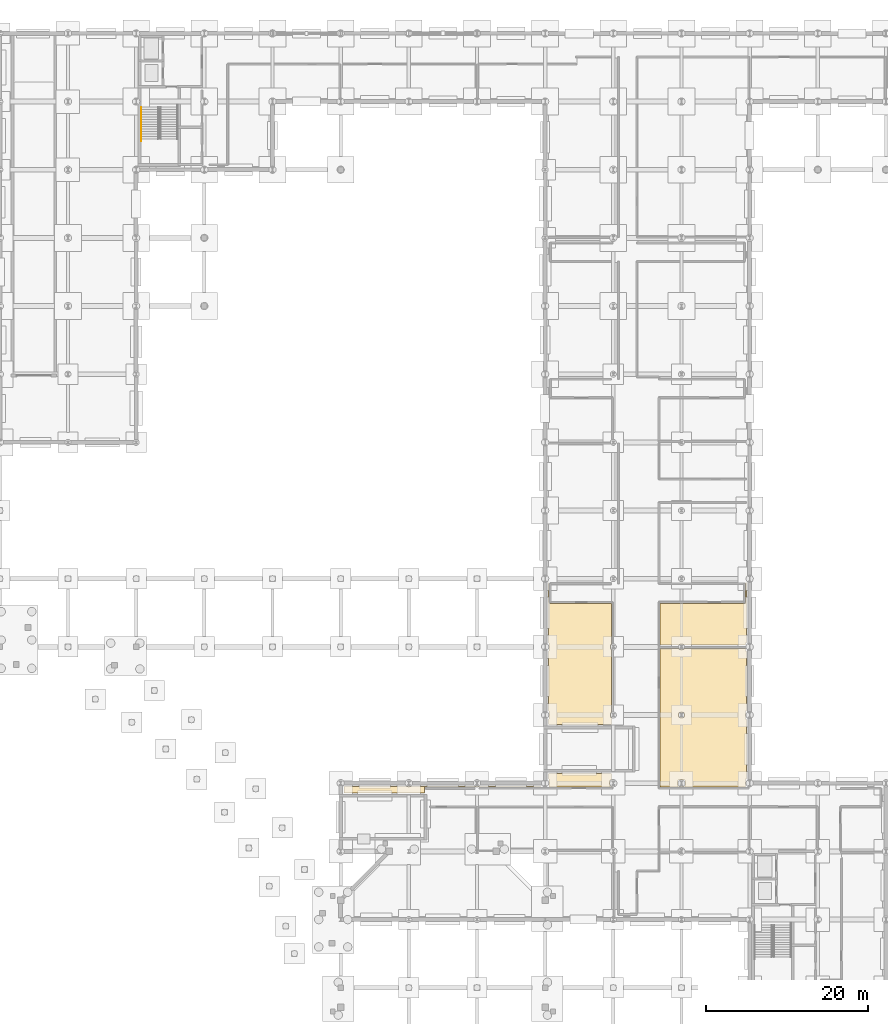
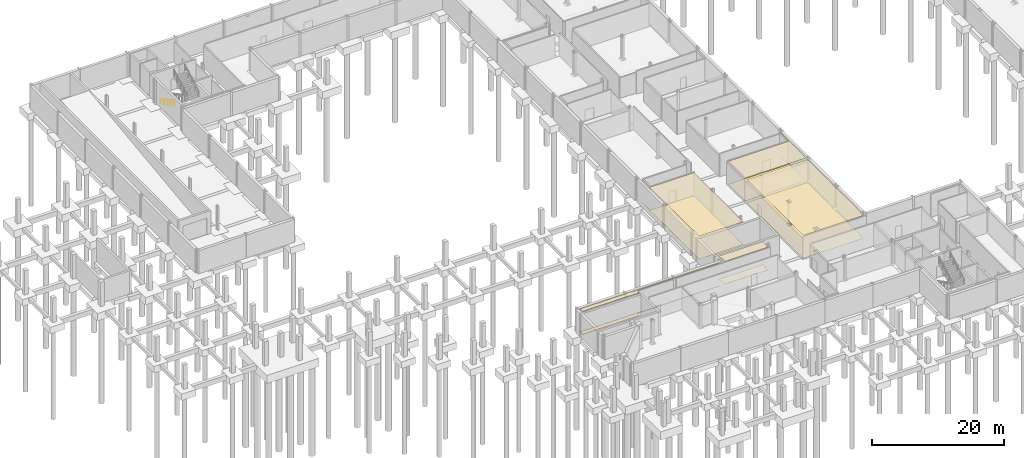
# One storey, part 37 of 43: 10 coverings, 1 railing.
"""IFC4 building model written with IfcOpenShell, lengths in metres."""

from ifc_helpers import new_model, si_unit, direction, frame, origin, origin_2d, place, context, subcontext, project, spatial, polyline, circle, outline, extrude, material, layer, layer_set, type_object, element, save


model = new_model("IFC4")

# Units and contexts
model_context = context("Model", 3, precision=1e-05, world=origin(), true_north=direction((0.0, 1.0)))
body_context = subcontext(model_context, "Body", "Model", "MODEL_VIEW")
ifc_project = project(units=[si_unit("LENGTHUNIT", "METRE"), si_unit("AREAUNIT", "SQUARE_METRE"), si_unit("VOLUMEUNIT", "CUBIC_METRE"), si_unit("PLANEANGLEUNIT", "RADIAN"), si_unit("MASSUNIT", "GRAM", prefix="KILO")], contexts=[model_context])

# Site, building, storey
site_placement = place(None, origin())
site = spatial("IfcSite", under=ifc_project, at=site_placement, CompositionType="ELEMENT")
building_placement = place(site_placement, origin())
building = spatial("IfcBuilding", under=site, at=building_placement, Name="Mersafa Astral City Hall", CompositionType="ELEMENT")
storey_placement = place(building_placement, frame((0.0, 0.0, -4.5)))
storey = spatial("IfcBuildingStorey", under=building, at=storey_placement, Name="B1", CompositionType="ELEMENT", Elevation=-4.5)

# Railing
ifc_material_1 = material(Name="Brushed stainless steel tubular handrail", Category="steel")
railing_type = type_object("IfcRailingType", Name="HANDRAIL", PredefinedType="HANDRAIL", material=ifc_material_1)
railing_placement = place(storey_placement, frame((42.6298828125, 116.89990234375, 0.16064453125)))
element("IfcRailing", 1, at=railing_placement, inside=storey, type_object=railing_type, Name="B1 ST3 stair handrail 1", PredefinedType="HANDRAIL", context=body_context, shape_type="SweptSolid", body=[
    extrude(circle(Radius=0.02392578125, at=origin_2d()), frame((0.0, 0.0, 0.8759765625), z_axis=(0.0, -0.881200344737, 0.472743008869), x_axis=(1.0, 0.0, 0.0)), (0.0, 0.0, 1.0), 4.76611328125),
    extrude(circle(Radius=0.02099609375, at=origin_2d()), origin(), (0.0, 0.0, 1.0), 0.851806640625),
    extrude(circle(Radius=0.02099609375, at=origin_2d()), frame((0.0, -1.050048828125, 0.563232421875)), (0.0, 0.0, 1.0), 0.851806640625),
    extrude(circle(Radius=0.02099609375, at=origin_2d()), frame((0.0, -2.10009765625, 1.12646484375)), (0.0, 0.0, 1.0), 0.851806640625),
    extrude(circle(Radius=0.02099609375, at=origin_2d()), frame((0.0, -3.14990234375, 1.68994140625)), (0.0, 0.0, 1.0), 0.851806640625),
    extrude(circle(Radius=0.02099609375, at=origin_2d()), frame((0.0, -4.199951171875, 2.253173828125)), (0.0, 0.0, 1.0), 0.851806640625),
])

# Coverings
ifc_material_2 = material(Name="Perforated acoustic gypsum board ceiling", Category="gypsum")
ifc_layer_1 = layer(ifc_material_2, 0.02490234375, Name="Perforated acoustic gypsum board ceiling")
ifc_layer_set_1 = layer_set([ifc_layer_1], Name="Perforated acoustic gypsum board ceiling — INT-COV-CEIL-25")
covering_type_1 = type_object("IfcCoveringType", Name="INT-COV-CEIL-25", PredefinedType="CEILING", material=ifc_layer_set_1)
covering_1_placement = place(storey_placement, frame((0.0, 0.0, 4.23095703125)))
element("IfcCovering", 2, at=covering_1_placement, inside=storey, type_object=covering_type_1, Name="B1 Logistics Bay B1-04 acoustic ceiling", PredefinedType="CEILING", context=body_context, shape_type="SweptSolid", body=[
    extrude(outline(polyline([(108.8798828125, 50.080078125), (109.52001953125, 50.080078125), (109.52001953125, 50.169921875), (117.10498046875, 50.169921875), (117.10498046875, 49.905029296875), (117.199951171875, 49.905029296875), (117.199951171875, 42.4951171875), (117.10498046875, 42.4951171875), (117.10498046875, 41.5048828125), (117.199951171875, 41.5048828125), (117.199951171875, 34.094970703125), (117.10498046875, 34.094970703125), (117.10498046875, 33.1201171875), (106.570068359375, 33.1201171875), (106.570068359375, 50.169921875), (108.8798828125, 50.169921875), (108.8798828125, 50.080078125)]), holes=[polyline([(108.780029296875, 33.179931640625), (109.6201171875, 33.179931640625), (109.6201171875, 34.02001953125), (108.780029296875, 34.02001953125), (108.780029296875, 33.179931640625)]), polyline([(108.8798828125, 41.679931640625), (109.52001953125, 41.679931640625), (109.52001953125, 42.320068359375), (108.8798828125, 42.320068359375), (108.8798828125, 41.679931640625)])]), origin(), (0.0, 0.0, 1.0), 0.025146484375),
])
covering_2_placement = place(storey_placement, frame((0.0, 0.0, 4.23095703125)))
element("IfcCovering", 3, at=covering_2_placement, inside=storey, type_object=covering_type_1, Name="B1 Mechanical Chiller Plant Room B1-05 acoustic ceiling", PredefinedType="CEILING", context=body_context, shape_type="SweptSolid", body=[
    extrude(outline(polyline([(92.89501953125, 41.5048828125), (92.89501953125, 42.4951171875), (92.800048828125, 42.4951171875), (92.800048828125, 49.905029296875), (92.89501953125, 49.905029296875), (92.89501953125, 50.89501953125), (92.800048828125, 50.89501953125), (92.800048828125, 58.304931640625), (92.8798828125, 58.304931640625), (92.8798828125, 55.760009765625), (100.570068359375, 55.760009765625), (100.570068359375, 50.719970703125), (100.47998046875, 50.719970703125), (100.47998046875, 50.080078125), (100.570068359375, 50.080078125), (100.570068359375, 42.320068359375), (100.47998046875, 42.320068359375), (100.47998046875, 41.679931640625), (100.570068359375, 41.679931640625), (100.570068359375, 40.820068359375), (92.800048828125, 40.820068359375), (92.800048828125, 41.5048828125), (92.89501953125, 41.5048828125)])), origin(), (0.0, 0.0, 1.0), 0.025146484375),
])
covering_3_placement = place(storey_placement, frame((0.0, 0.0, 4.23095703125)))
element("IfcCovering", 4, at=covering_3_placement, inside=storey, type_object=covering_type_1, Name="B1 Electrical Substation Room B1-06 acoustic ceiling", PredefinedType="CEILING", context=body_context, shape_type="SweptSolid", body=[
    extrude(outline(polyline([(106.570068359375, 50.6298828125), (106.570068359375, 55.760009765625), (117.1201171875, 55.760009765625), (117.1201171875, 58.304931640625), (117.199951171875, 58.304931640625), (117.199951171875, 50.89501953125), (117.10498046875, 50.89501953125), (117.10498046875, 50.6298828125), (109.52001953125, 50.6298828125), (109.52001953125, 50.719970703125), (108.8798828125, 50.719970703125), (108.8798828125, 50.6298828125), (106.570068359375, 50.6298828125)])), origin(), (0.0, 0.0, 1.0), 0.025146484375),
])
covering_4_placement = place(storey_placement, frame((0.0, 0.0, 4.23095703125)))
element("IfcCovering", 5, at=covering_4_placement, inside=storey, type_object=covering_type_1, Name="B1 Central Archive Stack B1-25 acoustic ceiling", PredefinedType="CEILING", context=body_context, shape_type="SweptSolid", body=[
    extrude(outline(polyline([(77.56005859375, 33.1201171875), (77.56005859375, 32.419921875), (67.60009765625, 32.419921875), (67.60009765625, 33.199951171875), (91.905029296875, 33.199951171875), (91.905029296875, 33.1201171875), (77.56005859375, 33.1201171875)])), origin(), (0.0, 0.0, 1.0), 0.025146484375),
])
covering_5_placement = place(storey_placement, frame((0.0, 0.0, 4.23095703125)))
element("IfcCovering", 6, at=covering_5_placement, inside=storey, type_object=covering_type_1, Name="B1 Central Archive Stack B1-25 acoustic ceiling", PredefinedType="CEILING", context=body_context, shape_type="SweptSolid", body=[
    extrude(outline(polyline([(92.89501953125, 34.094970703125), (92.800048828125, 34.094970703125), (92.800048828125, 34.780029296875), (100.570068359375, 34.780029296875), (100.570068359375, 33.9951171875), (100.405029296875, 33.9951171875), (100.405029296875, 33.205078125), (100.570068359375, 33.205078125), (100.570068359375, 33.1201171875), (92.89501953125, 33.1201171875), (92.89501953125, 34.094970703125)])), origin(), (0.0, 0.0, 1.0), 0.025146484375),
])
ifc_material_3 = material(Name="Honed Cairo limestone terrazzo flooring", Category="masonry")
ifc_layer_2 = layer(ifc_material_3, 0.02001953125, Name="Honed Cairo limestone terrazzo flooring")
ifc_layer_set_2 = layer_set([ifc_layer_2], Name="Honed Cairo limestone terrazzo flooring — INT-COV-FLR-20")
covering_type_2 = type_object("IfcCoveringType", Name="INT-COV-FLR-20", PredefinedType="FLOORING", material=ifc_layer_set_2)
covering_6_placement = place(storey_placement, frame((0.0, 0.0, -0.00146484375)))
element("IfcCovering", 7, at=covering_6_placement, inside=storey, type_object=covering_type_2, Name="B1 Logistics Bay B1-04 architectural flooring", PredefinedType="FLOORING", context=body_context, shape_type="SweptSolid", body=[
    extrude(outline(polyline([(108.8798828125, 50.080078125), (109.52001953125, 50.080078125), (109.52001953125, 50.169921875), (117.10498046875, 50.169921875), (117.10498046875, 49.905029296875), (117.199951171875, 49.905029296875), (117.199951171875, 42.4951171875), (117.10498046875, 42.4951171875), (117.10498046875, 41.5048828125), (117.199951171875, 41.5048828125), (117.199951171875, 34.094970703125), (117.10498046875, 34.094970703125), (117.10498046875, 33.1201171875), (106.570068359375, 33.1201171875), (106.570068359375, 50.169921875), (108.8798828125, 50.169921875), (108.8798828125, 50.080078125)]), holes=[polyline([(108.780029296875, 33.179931640625), (109.6201171875, 33.179931640625), (109.6201171875, 34.02001953125), (108.780029296875, 34.02001953125), (108.780029296875, 33.179931640625)]), polyline([(108.8798828125, 41.679931640625), (109.52001953125, 41.679931640625), (109.52001953125, 42.320068359375), (108.8798828125, 42.320068359375), (108.8798828125, 41.679931640625)])]), origin(), (0.0, 0.0, 1.0), 0.02001953125),
])
covering_7_placement = place(storey_placement, frame((0.0, 0.0, -0.00146484375)))
element("IfcCovering", 8, at=covering_7_placement, inside=storey, type_object=covering_type_2, Name="B1 Mechanical Chiller Plant Room B1-05 architectural flooring", PredefinedType="FLOORING", context=body_context, shape_type="SweptSolid", body=[
    extrude(outline(polyline([(92.89501953125, 41.5048828125), (92.89501953125, 42.4951171875), (92.800048828125, 42.4951171875), (92.800048828125, 49.905029296875), (92.89501953125, 49.905029296875), (92.89501953125, 50.89501953125), (92.800048828125, 50.89501953125), (92.800048828125, 58.304931640625), (92.8798828125, 58.304931640625), (92.8798828125, 55.760009765625), (100.570068359375, 55.760009765625), (100.570068359375, 50.719970703125), (100.47998046875, 50.719970703125), (100.47998046875, 50.080078125), (100.570068359375, 50.080078125), (100.570068359375, 42.320068359375), (100.47998046875, 42.320068359375), (100.47998046875, 41.679931640625), (100.570068359375, 41.679931640625), (100.570068359375, 40.820068359375), (92.800048828125, 40.820068359375), (92.800048828125, 41.5048828125), (92.89501953125, 41.5048828125)])), origin(), (0.0, 0.0, 1.0), 0.02001953125),
])
covering_8_placement = place(storey_placement, frame((0.0, 0.0, -0.00146484375)))
element("IfcCovering", 9, at=covering_8_placement, inside=storey, type_object=covering_type_2, Name="B1 Electrical Substation Room B1-06 architectural flooring", PredefinedType="FLOORING", context=body_context, shape_type="SweptSolid", body=[
    extrude(outline(polyline([(106.570068359375, 50.6298828125), (106.570068359375, 55.760009765625), (117.1201171875, 55.760009765625), (117.1201171875, 58.304931640625), (117.199951171875, 58.304931640625), (117.199951171875, 50.89501953125), (117.10498046875, 50.89501953125), (117.10498046875, 50.6298828125), (109.52001953125, 50.6298828125), (109.52001953125, 50.719970703125), (108.8798828125, 50.719970703125), (108.8798828125, 50.6298828125), (106.570068359375, 50.6298828125)])), origin(), (0.0, 0.0, 1.0), 0.02001953125),
])
covering_9_placement = place(storey_placement, frame((0.0, 0.0, -0.00146484375)))
element("IfcCovering", 10, at=covering_9_placement, inside=storey, type_object=covering_type_2, Name="B1 Central Archive Stack B1-25 architectural flooring", PredefinedType="FLOORING", context=body_context, shape_type="SweptSolid", body=[
    extrude(outline(polyline([(77.56005859375, 33.1201171875), (77.56005859375, 32.419921875), (67.60009765625, 32.419921875), (67.60009765625, 33.199951171875), (91.905029296875, 33.199951171875), (91.905029296875, 33.1201171875), (77.56005859375, 33.1201171875)])), origin(), (0.0, 0.0, 1.0), 0.02001953125),
])
covering_10_placement = place(storey_placement, frame((0.0, 0.0, -0.00146484375)))
element("IfcCovering", 11, at=covering_10_placement, inside=storey, type_object=covering_type_2, Name="B1 Central Archive Stack B1-25 architectural flooring", PredefinedType="FLOORING", context=body_context, shape_type="SweptSolid", body=[
    extrude(outline(polyline([(92.89501953125, 34.094970703125), (92.800048828125, 34.094970703125), (92.800048828125, 34.780029296875), (100.570068359375, 34.780029296875), (100.570068359375, 33.9951171875), (100.405029296875, 33.9951171875), (100.405029296875, 33.205078125), (100.570068359375, 33.205078125), (100.570068359375, 33.1201171875), (92.89501953125, 33.1201171875), (92.89501953125, 34.094970703125)])), origin(), (0.0, 0.0, 1.0), 0.02001953125),
])

save(model, "model.ifc")
